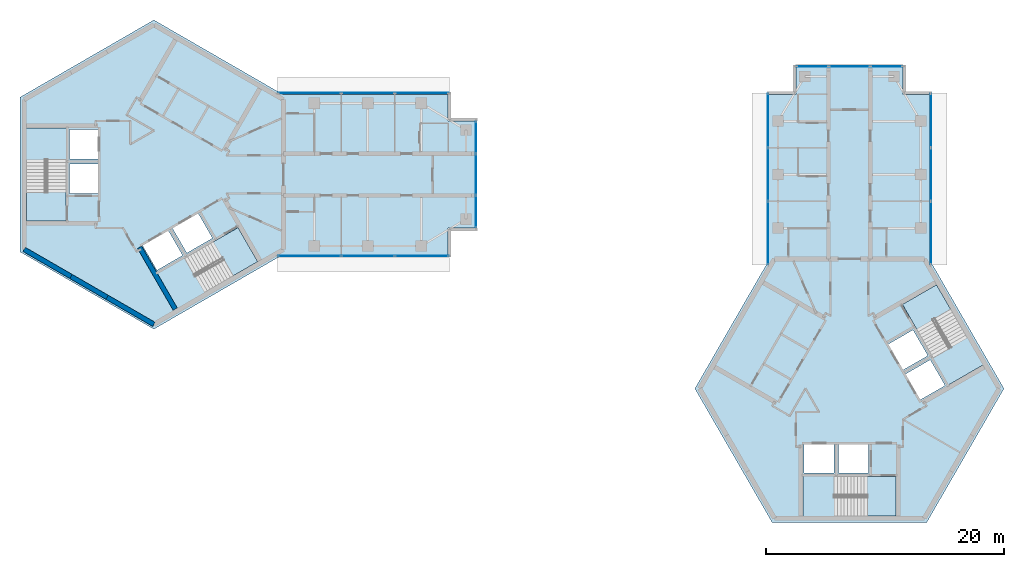
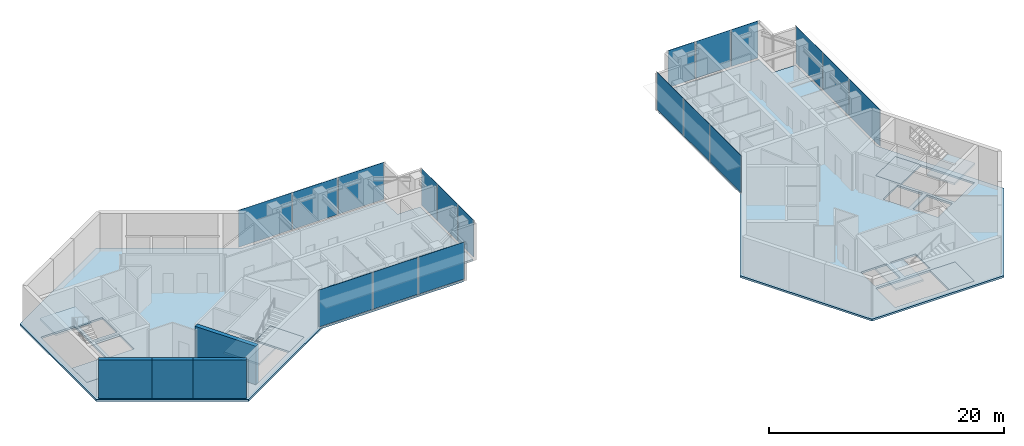
# One storey, part 4 of 11: 18 plates, 10 slabs, 4 walls, 10 elements without a shape of their own.
"""IFC4 building model written with IfcOpenShell, lengths in metres."""

from ifc_helpers import new_model, si_unit, direction, frame, frame_2d, origin, origin_2d, place, context, subcontext, project, spatial, polyline, rectangle, outline, extrude, material, layer, layer_set, type_object, element, aggregate, save


model = new_model("IFC4")

# Units and contexts
model_context = context("Model", 3, precision=1e-05, world=origin(), true_north=direction((0.0, 1.0)))
body_context = subcontext(model_context, "Body", "Model", "MODEL_VIEW")
ifc_project = project(units=[si_unit("LENGTHUNIT", "METRE"), si_unit("AREAUNIT", "SQUARE_METRE"), si_unit("VOLUMEUNIT", "CUBIC_METRE"), si_unit("PLANEANGLEUNIT", "RADIAN"), si_unit("MASSUNIT", "GRAM", prefix="KILO")], contexts=[model_context])

# Site, building, storey
site_placement = place(None, origin())
site = spatial("IfcSite", under=ifc_project, at=site_placement, CompositionType="ELEMENT")
building_placement = place(site_placement, origin())
building = spatial("IfcBuilding", under=site, at=building_placement, Name="Upepo Twin Towers", CompositionType="ELEMENT")
storey_placement = place(building_placement, frame((0.0, 0.0, 275.5)))
storey = spatial("IfcBuildingStorey", under=building, at=storey_placement, Name="L67", CompositionType="ELEMENT", Elevation=275.5)

# Curtain wall, plates
ifc_material_1 = material(Name="Aluminium and fritted glass", Category="aluminium")
curtain_wall_type = type_object("IfcCurtainWallType", Name="Tower curtain wall TW4, fritted glass", PredefinedType="NOTDEFINED", material=ifc_material_1)
curtain_wall_1_placement = place(storey_placement, origin())
curtain_wall_1 = element("IfcCurtainWall", 1, at=curtain_wall_1_placement, inside=storey, type_object=curtain_wall_type, Name="T1 L67 wing A flank L curtain wall", PredefinedType="NOTDEFINED")
ifc_material_2 = material(Name="Ceramic-fritted laminated glass", Category="glass")
ifc_layer_1 = layer(ifc_material_2, 0.031982421875)
ifc_layer_set_1 = layer_set([ifc_layer_1], Name="Fritted glass panel, 70 per cent dot frit, 32 mm double glazed")
plate_type_1 = type_object("IfcPlateType", Name="Fritted glass panel, 70 per cent dot frit, 32 mm double glazed", PredefinedType="CURTAIN_PANEL", material=ifc_layer_set_1)
plate_1_placement = place(storey_placement, frame((13.084716796875, 6.85009765625, 0.14990234375), z_axis=(0.0, 0.0, 1.0), x_axis=(1.0, 0.0, 0.0)))
plate_1 = element("IfcPlate", 2, at=plate_1_placement, type_object=plate_type_1, Name="T1 L67 wing A flank L curtain wall panel 1", PredefinedType="CURTAIN_PANEL", context=body_context, shape_type="SweptSolid", body=[
    extrude(rectangle(XDim=5.265380859375, YDim=0.031982421875, at=origin_2d()), origin(), (0.0, 0.0, 1.0), 3.85009765625),
])
plate_2_placement = place(storey_placement, frame((18.0, 6.85009765625, 0.14990234375), z_axis=(0.0, 0.0, 1.0), x_axis=(1.0, 0.0, 0.0)))
plate_2 = element("IfcPlate", 3, at=plate_2_placement, type_object=plate_type_1, Name="T1 L67 wing A flank L curtain wall panel 2", PredefinedType="CURTAIN_PANEL", context=body_context, shape_type="SweptSolid", body=[
    extrude(rectangle(XDim=4.43505859375, YDim=0.031982421875, at=origin_2d()), origin(), (0.0, 0.0, 1.0), 3.85009765625),
])
plate_3_placement = place(storey_placement, frame((22.53369140625, 6.85009765625, 0.14990234375), z_axis=(0.0, 0.0, 1.0), x_axis=(1.0, 0.0, 0.0)))
plate_3 = element("IfcPlate", 4, at=plate_3_placement, type_object=plate_type_1, Name="T1 L67 wing A flank L curtain wall panel 3", PredefinedType="CURTAIN_PANEL", context=body_context, shape_type="SweptSolid", body=[
    extrude(rectangle(XDim=4.50244140625, YDim=0.031982421875, at=origin_2d()), origin(), (0.0, 0.0, 1.0), 3.85009765625),
])
aggregate(curtain_wall_1, [plate_1, plate_2, plate_3])

curtain_wall_2_placement = place(storey_placement, origin())
curtain_wall_2 = element("IfcCurtainWall", 5, at=curtain_wall_2_placement, inside=storey, type_object=curtain_wall_type, Name="T1 L67 wing A flank R curtain wall", PredefinedType="NOTDEFINED")
plate_4_placement = place(storey_placement, frame((22.53369140625, -6.85009765625, 0.14990234375), z_axis=(0.0, 0.0, 1.0), x_axis=(-1.0, 0.0, 0.0)))
plate_4 = element("IfcPlate", 6, at=plate_4_placement, type_object=plate_type_1, Name="T1 L67 wing A flank R curtain wall panel 1", PredefinedType="CURTAIN_PANEL", context=body_context, shape_type="SweptSolid", body=[
    extrude(rectangle(XDim=4.50244140625, YDim=0.031982421875, at=origin_2d()), origin(), (0.0, 0.0, 1.0), 3.85009765625),
])
plate_5_placement = place(storey_placement, frame((18.0, -6.85009765625, 0.14990234375), z_axis=(0.0, 0.0, 1.0), x_axis=(-1.0, 0.0, 0.0)))
plate_5 = element("IfcPlate", 7, at=plate_5_placement, type_object=plate_type_1, Name="T1 L67 wing A flank R curtain wall panel 2", PredefinedType="CURTAIN_PANEL", context=body_context, shape_type="SweptSolid", body=[
    extrude(rectangle(XDim=4.43505859375, YDim=0.031982421875, at=origin_2d()), origin(), (0.0, 0.0, 1.0), 3.85009765625),
])
plate_6_placement = place(storey_placement, frame((13.084716796875, -6.85009765625, 0.14990234375), z_axis=(0.0, 0.0, 1.0), x_axis=(-1.0, 0.0, 0.0)))
plate_6 = element("IfcPlate", 8, at=plate_6_placement, type_object=plate_type_1, Name="T1 L67 wing A flank R curtain wall panel 3", PredefinedType="CURTAIN_PANEL", context=body_context, shape_type="SweptSolid", body=[
    extrude(rectangle(XDim=5.265380859375, YDim=0.031982421875, at=origin_2d()), origin(), (0.0, 0.0, 1.0), 3.85009765625),
])
aggregate(curtain_wall_2, [plate_4, plate_5, plate_6])

# Curtain wall, plate
curtain_wall_3_placement = place(storey_placement, origin())
curtain_wall_3 = element("IfcCurtainWall", 9, at=curtain_wall_3_placement, inside=storey, type_object=curtain_wall_type, Name="T1 L67 wing A nose curtain wall", PredefinedType="NOTDEFINED")
plate_7_placement = place(storey_placement, frame((27.10009765625, 0.0, 0.14990234375), z_axis=(0.0, 0.0, 1.0), x_axis=(0.0, 1.0, 0.0)))
plate_7 = element("IfcPlate", 10, at=plate_7_placement, type_object=plate_type_1, Name="T1 L67 wing A nose curtain wall panel 2", PredefinedType="CURTAIN_PANEL", context=body_context, shape_type="SweptSolid", body=[
    extrude(rectangle(XDim=3.43505859375, YDim=0.031982421875, at=origin_2d()), origin(), (0.0, 0.0, 1.0), 3.85009765625),
])

# Curtain wall, plates
curtain_wall_4_placement = place(storey_placement, origin())
curtain_wall_4 = element("IfcCurtainWall", 11, at=curtain_wall_4_placement, inside=storey, type_object=curtain_wall_type, Name="T2 L67 wing A flank L curtain wall", PredefinedType="NOTDEFINED")
plate_8_placement = place(storey_placement, frame((51.64990234375, -4.915283203125, 0.14990234375), z_axis=(0.0, 0.0, 1.0), x_axis=(0.0, 1.0, 0.0)))
plate_8 = element("IfcPlate", 12, at=plate_8_placement, type_object=plate_type_1, Name="T2 L67 wing A flank L curtain wall panel 1", PredefinedType="CURTAIN_PANEL", context=body_context, shape_type="SweptSolid", body=[
    extrude(rectangle(XDim=5.265380859375, YDim=0.031982421875, at=origin_2d()), origin(), (0.0, 0.0, 1.0), 3.85009765625),
])
plate_9_placement = place(storey_placement, frame((51.64990234375, 0.0, 0.14990234375), z_axis=(0.0, 0.0, 1.0), x_axis=(0.0, 1.0, 0.0)))
plate_9 = element("IfcPlate", 13, at=plate_9_placement, type_object=plate_type_1, Name="T2 L67 wing A flank L curtain wall panel 2", PredefinedType="CURTAIN_PANEL", context=body_context, shape_type="SweptSolid", body=[
    extrude(rectangle(XDim=4.43505859375, YDim=0.031982421875, at=origin_2d()), origin(), (0.0, 0.0, 1.0), 3.85009765625),
])
plate_10_placement = place(storey_placement, frame((51.64990234375, 4.53369140625, 0.14990234375), z_axis=(0.0, 0.0, 1.0), x_axis=(0.0, 1.0, 0.0)))
plate_10 = element("IfcPlate", 14, at=plate_10_placement, type_object=plate_type_1, Name="T2 L67 wing A flank L curtain wall panel 3", PredefinedType="CURTAIN_PANEL", context=body_context, shape_type="SweptSolid", body=[
    extrude(rectangle(XDim=4.50244140625, YDim=0.031982421875, at=origin_2d()), origin(), (0.0, 0.0, 1.0), 3.85009765625),
])
aggregate(curtain_wall_4, [plate_8, plate_9, plate_10])

curtain_wall_5_placement = place(storey_placement, origin())
curtain_wall_5 = element("IfcCurtainWall", 15, at=curtain_wall_5_placement, inside=storey, type_object=curtain_wall_type, Name="T2 L67 wing A flank R curtain wall", PredefinedType="NOTDEFINED")
plate_11_placement = place(storey_placement, frame((65.35009765625, 4.53369140625, 0.14990234375), z_axis=(0.0, 0.0, 1.0), x_axis=(0.0, -1.0, 0.0)))
plate_11 = element("IfcPlate", 16, at=plate_11_placement, type_object=plate_type_1, Name="T2 L67 wing A flank R curtain wall panel 1", PredefinedType="CURTAIN_PANEL", context=body_context, shape_type="SweptSolid", body=[
    extrude(rectangle(XDim=4.50244140625, YDim=0.031982421875, at=origin_2d()), origin(), (0.0, 0.0, 1.0), 3.85009765625),
])
plate_12_placement = place(storey_placement, frame((65.35009765625, 0.0, 0.14990234375), z_axis=(0.0, 0.0, 1.0), x_axis=(0.0, -1.0, 0.0)))
plate_12 = element("IfcPlate", 17, at=plate_12_placement, type_object=plate_type_1, Name="T2 L67 wing A flank R curtain wall panel 2", PredefinedType="CURTAIN_PANEL", context=body_context, shape_type="SweptSolid", body=[
    extrude(rectangle(XDim=4.43505859375, YDim=0.031982421875, at=origin_2d()), origin(), (0.0, 0.0, 1.0), 3.85009765625),
])
plate_13_placement = place(storey_placement, frame((65.35009765625, -4.915283203125, 0.14990234375), z_axis=(0.0, 0.0, 1.0), x_axis=(0.0, -1.0, 0.0)))
plate_13 = element("IfcPlate", 18, at=plate_13_placement, type_object=plate_type_1, Name="T2 L67 wing A flank R curtain wall panel 3", PredefinedType="CURTAIN_PANEL", context=body_context, shape_type="SweptSolid", body=[
    extrude(rectangle(XDim=5.265380859375, YDim=0.031982421875, at=origin_2d()), origin(), (0.0, 0.0, 1.0), 3.85009765625),
])
aggregate(curtain_wall_5, [plate_11, plate_12, plate_13])

# Curtain wall, plate
curtain_wall_6_placement = place(storey_placement, origin())
curtain_wall_6 = element("IfcCurtainWall", 19, at=curtain_wall_6_placement, inside=storey, type_object=curtain_wall_type, Name="T2 L67 wing A nose curtain wall", PredefinedType="NOTDEFINED")
plate_14_placement = place(storey_placement, frame((58.5, 9.10009765625, 0.14990234375), z_axis=(0.0, 0.0, 1.0), x_axis=(-1.0, 0.0, 0.0)))
plate_14 = element("IfcPlate", 20, at=plate_14_placement, type_object=plate_type_1, Name="T2 L67 wing A nose curtain wall panel 2", PredefinedType="CURTAIN_PANEL", context=body_context, shape_type="SweptSolid", body=[
    extrude(rectangle(XDim=3.43505859375, YDim=0.031982421875, at=origin_2d()), origin(), (0.0, 0.0, 1.0), 3.85009765625),
])

# Plate
ifc_material_3 = material(Name="Clear laminated glass in opening sash", Category="glass")
ifc_layer_2 = layer(ifc_material_3, 0.031982421875)
ifc_layer_set_2 = layer_set([ifc_layer_2], Name="Operable glass panel, 32 mm double glazed")
plate_type_2 = type_object("IfcPlateType", Name="Operable glass panel, 32 mm double glazed", PredefinedType="CURTAIN_PANEL", material=ifc_layer_set_2)
plate_15_placement = place(storey_placement, frame((27.10009765625, -3.108642578125, 0.14990234375), z_axis=(0.0, 0.0, 1.0), x_axis=(0.0, 1.0, 0.0)))
plate_15 = element("IfcPlate", 21, at=plate_15_placement, type_object=plate_type_2, Name="T1 L67 wing A nose curtain wall panel 1", PredefinedType="CURTAIN_PANEL", context=body_context, shape_type="SweptSolid", body=[
    extrude(rectangle(XDim=2.652587890625, YDim=0.031982421875, at=origin_2d()), origin(), (0.0, 0.0, 1.0), 3.85009765625),
])

plate_16_placement = place(storey_placement, frame((27.10009765625, 3.108642578125, 0.14990234375), z_axis=(0.0, 0.0, 1.0), x_axis=(0.0, 1.0, 0.0)))
plate_16 = element("IfcPlate", 22, at=plate_16_placement, type_object=plate_type_2, Name="T1 L67 wing A nose curtain wall panel 3", PredefinedType="CURTAIN_PANEL", context=body_context, shape_type="SweptSolid", body=[
    extrude(rectangle(XDim=2.652587890625, YDim=0.031982421875, at=origin_2d()), origin(), (0.0, 0.0, 1.0), 3.85009765625),
])

aggregate(curtain_wall_3, [plate_15, plate_7, plate_16])

plate_17_placement = place(storey_placement, frame((61.608642578125, 9.10009765625, 0.14990234375), z_axis=(0.0, 0.0, 1.0), x_axis=(-1.0, 0.0, 0.0)))
plate_17 = element("IfcPlate", 23, at=plate_17_placement, type_object=plate_type_2, Name="T2 L67 wing A nose curtain wall panel 1", PredefinedType="CURTAIN_PANEL", context=body_context, shape_type="SweptSolid", body=[
    extrude(rectangle(XDim=2.652587890625, YDim=0.031982421875, at=origin_2d()), origin(), (0.0, 0.0, 1.0), 3.85009765625),
])

plate_18_placement = place(storey_placement, frame((55.391357421875, 9.10009765625, 0.14990234375), z_axis=(0.0, 0.0, 1.0), x_axis=(-1.0, 0.0, 0.0)))
plate_18 = element("IfcPlate", 24, at=plate_18_placement, type_object=plate_type_2, Name="T2 L67 wing A nose curtain wall panel 3", PredefinedType="CURTAIN_PANEL", context=body_context, shape_type="SweptSolid", body=[
    extrude(rectangle(XDim=2.652587890625, YDim=0.031982421875, at=origin_2d()), origin(), (0.0, 0.0, 1.0), 3.85009765625),
])

aggregate(curtain_wall_6, [plate_17, plate_14, plate_18])

# Stair, slabs
ifc_material_4 = material(Name="Concrete C40/50", Category="concrete")
stair_type = type_object("IfcStairType", Name="Core stair, two flights", PredefinedType="HALF_TURN_STAIR", material=ifc_material_4)
stair_1_placement = place(storey_placement, origin())
stair_1 = element("IfcStair", 25, at=stair_1_placement, inside=storey, type_object=stair_type, Name="T1 stair S1 L67", PredefinedType="HALF_TURN_STAIR")
ifc_material_5 = material(Name="Concrete C40/50", Category="concrete")
ifc_layer_3 = layer(ifc_material_5, 0.199951171875)
ifc_layer_set_3 = layer_set([ifc_layer_3], Name="Concrete C40/50")
slab_type_1 = type_object("IfcSlabType", Name="Stair landing 200 RC", PredefinedType="LANDING", material=ifc_layer_set_3)
slab_1_placement = place(storey_placement, frame((0.0, 0.0, -0.199951171875)))
slab_1 = element("IfcSlab", 26, at=slab_1_placement, type_object=slab_type_1, Name="Stair S1 landing 1", PredefinedType="LANDING", context=body_context, shape_type="SweptSolid", body=[
    extrude(outline(polyline([(-7.39990234375, -1.419921875), (-10.708251953125, -1.419921875), (-10.708251953125, -3.89990234375), (-7.39990234375, -3.89990234375), (-7.39990234375, -1.419921875)])), origin(), (0.0, 0.0, 1.0), 0.199951171875),
])
slab_2_placement = place(storey_placement, frame((0.0, 0.0, 1.800048828125)))
slab_2 = element("IfcSlab", 27, at=slab_2_placement, type_object=slab_type_1, Name="Stair S1 landing 2", PredefinedType="LANDING", context=body_context, shape_type="SweptSolid", body=[
    extrude(outline(polyline([(-7.300048828125, 3.89990234375), (-10.808349609375, 3.89990234375), (-10.808349609375, 1.179931640625), (-7.300048828125, 1.179931640625), (-7.300048828125, 3.89990234375)])), origin(), (0.0, 0.0, 1.0), 0.199951171875),
])
aggregate(stair_1, [slab_1, slab_2])

stair_2_placement = place(storey_placement, origin())
stair_2 = element("IfcStair", 28, at=stair_2_placement, inside=storey, type_object=stair_type, Name="T1 stair S2 L67", PredefinedType="HALF_TURN_STAIR")
slab_3_placement = place(storey_placement, frame((0.0, 0.0, -0.199951171875)))
slab_3 = element("IfcSlab", 29, at=slab_3_placement, type_object=slab_type_1, Name="Stair S2 landing 1", PredefinedType="LANDING", context=body_context, shape_type="SweptSolid", body=[
    extrude(outline(polyline([(4.9296875, -5.698486328125), (6.583984375, -8.563720703125), (8.731689453125, -7.32373046875), (7.077392578125, -4.45849609375), (4.9296875, -5.698486328125)])), origin(), (0.0, 0.0, 1.0), 0.199951171875),
])
slab_4_placement = place(storey_placement, frame((0.0, 0.0, 1.800048828125)))
slab_4 = element("IfcSlab", 30, at=slab_4_placement, type_object=slab_type_1, Name="Stair S2 landing 2", PredefinedType="LANDING", context=body_context, shape_type="SweptSolid", body=[
    extrude(outline(polyline([(0.2724609375, -8.27197265625), (2.026611328125, -11.310302734375), (4.38232421875, -9.9501953125), (2.628173828125, -6.911865234375), (0.2724609375, -8.27197265625)])), origin(), (0.0, 0.0, 1.0), 0.199951171875),
])
aggregate(stair_2, [slab_3, slab_4])

stair_3_placement = place(storey_placement, origin())
stair_3 = element("IfcStair", 31, at=stair_3_placement, inside=storey, type_object=stair_type, Name="T2 stair S1 L67", PredefinedType="HALF_TURN_STAIR")
slab_5_placement = place(storey_placement, frame((0.0, 0.0, -0.199951171875)))
slab_5 = element("IfcSlab", 32, at=slab_5_placement, type_object=slab_type_1, Name="Stair S1 landing 1", PredefinedType="LANDING", context=body_context, shape_type="SweptSolid", body=[
    extrude(outline(polyline([(59.919921875, -25.39990234375), (59.919921875, -28.708251953125), (62.39990234375, -28.708251953125), (62.39990234375, -25.39990234375), (59.919921875, -25.39990234375)])), origin(), (0.0, 0.0, 1.0), 0.199951171875),
])
slab_6_placement = place(storey_placement, frame((0.0, 0.0, 1.800048828125)))
slab_6 = element("IfcSlab", 33, at=slab_6_placement, type_object=slab_type_1, Name="Stair S1 landing 2", PredefinedType="LANDING", context=body_context, shape_type="SweptSolid", body=[
    extrude(outline(polyline([(54.60009765625, -25.300048828125), (54.60009765625, -28.808349609375), (57.320068359375, -28.808349609375), (57.320068359375, -25.300048828125), (54.60009765625, -25.300048828125)])), origin(), (0.0, 0.0, 1.0), 0.199951171875),
])
aggregate(stair_3, [slab_5, slab_6])

stair_4_placement = place(storey_placement, origin())
stair_4 = element("IfcStair", 34, at=stair_4_placement, inside=storey, type_object=stair_type, Name="T2 stair S2 L67", PredefinedType="HALF_TURN_STAIR")
slab_7_placement = place(storey_placement, frame((0.0, 0.0, -0.199951171875)))
slab_7 = element("IfcSlab", 35, at=slab_7_placement, type_object=slab_type_1, Name="Stair S2 landing 1", PredefinedType="LANDING", context=body_context, shape_type="SweptSolid", body=[
    extrude(outline(polyline([(64.198486328125, -13.0703125), (67.063720703125, -11.416015625), (65.82373046875, -9.268310546875), (62.95849609375, -10.922607421875), (64.198486328125, -13.0703125)])), origin(), (0.0, 0.0, 1.0), 0.199951171875),
])
slab_8_placement = place(storey_placement, frame((0.0, 0.0, 1.800048828125)))
slab_8 = element("IfcSlab", 36, at=slab_8_placement, type_object=slab_type_1, Name="Stair S2 landing 2", PredefinedType="LANDING", context=body_context, shape_type="SweptSolid", body=[
    extrude(outline(polyline([(66.77197265625, -17.7275390625), (69.810302734375, -15.973388671875), (68.4501953125, -13.61767578125), (65.411865234375, -15.371826171875), (66.77197265625, -17.7275390625)])), origin(), (0.0, 0.0, 1.0), 0.199951171875),
])
aggregate(stair_4, [slab_7, slab_8])

# Slabs
ifc_material_6 = material(Name="Concrete C40/50", Category="concrete")
ifc_layer_4 = layer(ifc_material_6, 0.199951171875)
ifc_layer_set_4 = layer_set([ifc_layer_4], Name="Concrete C40/50")
slab_type_2 = type_object("IfcSlabType", Name="Tower floor slab 200 RC", PredefinedType="FLOOR", material=ifc_layer_set_4)
slab_9_placement = place(storey_placement, frame((0.0, 0.0, -0.199951171875)))
element("IfcSlab", 37, at=slab_9_placement, inside=storey, type_object=slab_type_2, Name="T1 L67 floor slab", PredefinedType="FLOOR", context=body_context, shape_type="SweptSolid", body=[
    extrude(outline(polyline([(0.0, -13.0), (-11.25830078125, -6.5), (-11.25830078125, 6.5), (0.0, 13.0), (10.825439453125, 6.75), (24.75, 6.75), (24.75, 4.5), (27.0, 4.5), (27.0, -4.5), (24.75, -4.5), (24.75, -6.75), (10.825439453125, -6.75), (0.0, -13.0)]), holes=[polyline([(-4.699951171875, 3.800048828125), (-7.10009765625, 3.800048828125), (-7.10009765625, 1.300048828125), (-4.699951171875, 1.300048828125), (-4.699951171875, 3.800048828125)]), polyline([(-4.699951171875, 0.89990234375), (-7.10009765625, 0.89990234375), (-7.10009765625, -1.60009765625), (-4.699951171875, -1.60009765625), (-4.699951171875, 0.89990234375)]), polyline([(-7.39990234375, 3.89990234375), (-10.708251953125, 3.89990234375), (-10.708251953125, -3.89990234375), (-7.39990234375, -3.89990234375), (-7.39990234375, 3.89990234375)]), polyline([(-0.94091796875, -5.97021484375), (0.259033203125, -8.048828125), (2.424072265625, -6.798828125), (1.22412109375, -4.72021484375), (-0.94091796875, -5.97021484375)]), polyline([(1.570556640625, -4.520263671875), (2.7705078125, -6.598876953125), (4.935546875, -5.348876953125), (3.735595703125, -3.270263671875), (1.570556640625, -4.520263671875)]), polyline([(0.322509765625, -8.358642578125), (1.9765625, -11.2236328125), (8.731689453125, -7.32373046875), (7.077392578125, -4.45849609375), (0.322509765625, -8.358642578125)])]), origin(), (0.0, 0.0, 1.0), 0.199951171875),
])
slab_10_placement = place(storey_placement, frame((0.0, 0.0, -0.199951171875)))
element("IfcSlab", 38, at=slab_10_placement, inside=storey, type_object=slab_type_2, Name="T2 L67 floor slab", PredefinedType="FLOOR", context=body_context, shape_type="SweptSolid", body=[
    extrude(outline(polyline([(71.5, -18.0), (65.0, -29.25830078125), (52.0, -29.25830078125), (45.5, -18.0), (51.75, -7.174560546875), (51.75, 6.75), (54.0, 6.75), (54.0, 9.0), (63.0, 9.0), (63.0, 6.75), (65.25, 6.75), (65.25, -7.174560546875), (71.5, -18.0)]), holes=[polyline([(54.699951171875, -22.699951171875), (54.699951171875, -25.10009765625), (57.199951171875, -25.10009765625), (57.199951171875, -22.699951171875), (54.699951171875, -22.699951171875)]), polyline([(57.60009765625, -22.699951171875), (57.60009765625, -25.10009765625), (60.10009765625, -25.10009765625), (60.10009765625, -22.699951171875), (57.60009765625, -22.699951171875)]), polyline([(54.60009765625, -25.39990234375), (54.60009765625, -28.708251953125), (62.39990234375, -28.708251953125), (62.39990234375, -25.39990234375), (54.60009765625, -25.39990234375)]), polyline([(64.47021484375, -18.94091796875), (66.548828125, -17.740966796875), (65.298828125, -15.575927734375), (63.22021484375, -16.77587890625), (64.47021484375, -18.94091796875)]), polyline([(63.020263671875, -16.429443359375), (65.098876953125, -15.2294921875), (63.848876953125, -13.064453125), (61.770263671875, -14.264404296875), (63.020263671875, -16.429443359375)]), polyline([(66.858642578125, -17.677490234375), (69.7236328125, -16.0234375), (65.82373046875, -9.268310546875), (62.95849609375, -10.922607421875), (66.858642578125, -17.677490234375)])]), origin(), (0.0, 0.0, 1.0), 0.199951171875),
])

# Walls
ifc_material_7 = material(Name="Concrete C60/75", Category="concrete")
ifc_layer_5 = layer(ifc_material_7, 0.39990234375)
ifc_layer_set_5 = layer_set([ifc_layer_5], Name="Concrete C60/75")
wall_type_1 = type_object("IfcWallType", Name="Core wall 400 RC", PredefinedType="SHEAR", material=ifc_layer_set_5)
wall_1_placement = place(storey_placement, frame((-10.908447265625, -6.2978515625, 0.0), z_axis=(0.0, 0.0, 1.0), x_axis=(0.866034513004, -0.499984222037, 0.0)))
element("IfcWall", 39, at=wall_1_placement, inside=storey, type_object=wall_type_1, Name="T1 core wall 240 R", PredefinedType="SHEAR", context=body_context, shape_type="SweptSolid", body=[
    extrude(rectangle(XDim=4.548095703125, YDim=0.39990234375, at=frame_2d((2.27392578125, 0.0))), origin(), (0.0, 0.0, 1.0), 4.0),
])
wall_2_placement = place(storey_placement, frame((-6.9697265625, -8.57177734375, 0.0), z_axis=(0.0, 0.0, 1.0), x_axis=(0.866019471182, -0.500010275428, 0.0)))
element("IfcWall", 40, at=wall_2_placement, inside=storey, type_object=wall_type_1, Name="T1 core wall 240", PredefinedType="SHEAR", context=body_context, shape_type="SweptSolid", body=[
    extrude(rectangle(XDim=3.5, YDim=0.39990234375, at=frame_2d((1.75, 0.0))), origin(), (0.0, 0.0, 1.0), 4.0),
])
wall_3_placement = place(storey_placement, frame((-3.938720703125, -10.32177734375, 0.0), z_axis=(0.0, 0.0, 1.0), x_axis=(0.866011268655, -0.500024481964, 0.0)))
element("IfcWall", 41, at=wall_3_placement, inside=storey, type_object=wall_type_1, Name="T1 core wall 240 L", PredefinedType="SHEAR", context=body_context, shape_type="SweptSolid", body=[
    extrude(rectangle(XDim=4.548095703125, YDim=0.39990234375, at=frame_2d((2.27392578125, 0.0))), origin(), (0.0, 0.0, 1.0), 4.0),
])
ifc_material_8 = material(Name="Concrete C40/50", Category="concrete")
ifc_layer_6 = layer(ifc_material_8, 0.39990234375)
ifc_layer_set_6 = layer_set([ifc_layer_6], Name="Concrete C40/50")
wall_type_2 = type_object("IfcWallType", Name="Shaft wall 400 RC", PredefinedType="SHEAR", material=ifc_layer_set_6)
wall_4_placement = place(storey_placement, frame((-1.20068359375, -6.120361328125, 0.0), z_axis=(0.0, 0.0, 1.0), x_axis=(0.499997979876, -0.866026570101, 0.0)))
element("IfcWall", 42, at=wall_4_placement, inside=storey, type_object=wall_type_2, Name="T1 core W300 side wall S", PredefinedType="SHEAR", context=body_context, shape_type="SweptSolid", body=[
    extrude(rectangle(XDim=6.00830078125, YDim=0.39990234375, at=frame_2d((3.004150390625, 0.0))), origin(), (0.0, 0.0, 1.0), 4.0),
])

save(model, "model.ifc")
